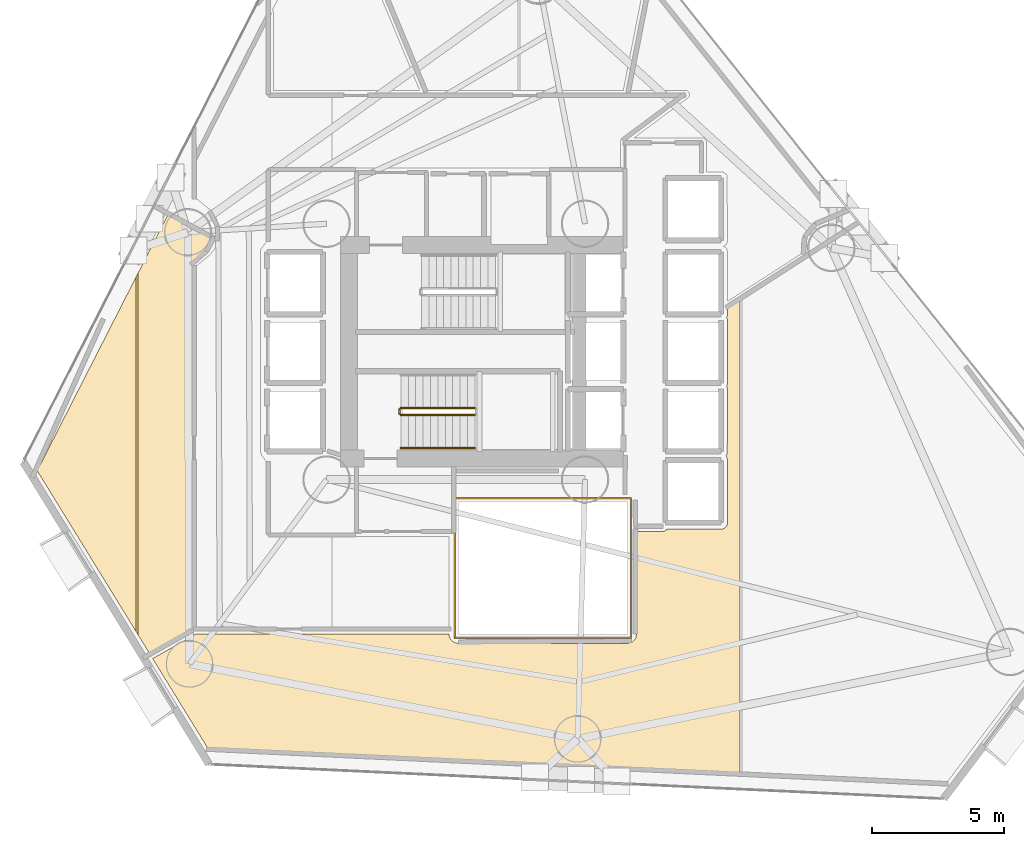
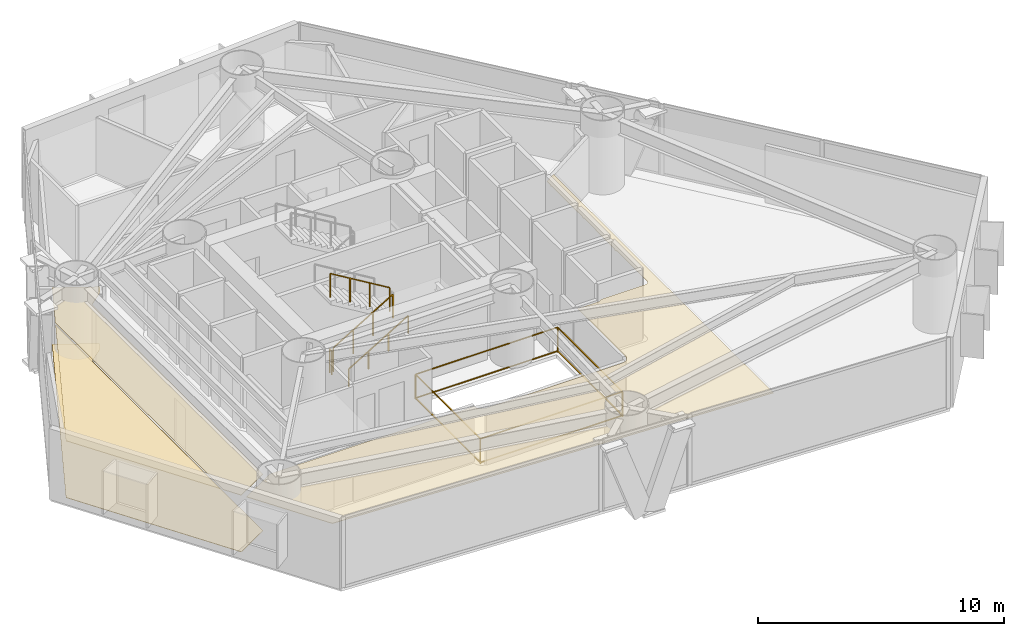
# One storey, part 20 of 23: 5 railings, 4 coverings.
"""IFC4 building model written with IfcOpenShell, lengths in metres."""

from ifc_helpers import new_model, si_unit, direction, frame, origin, origin_2d, place, context, subcontext, project, spatial, polyline, rectangle, outline, extrude, material, layer, layer_set, type_object, element, save


model = new_model("IFC4")

# Units and contexts
model_context = context("Model", 3, precision=1e-05, world=origin(), true_north=direction((0.0, 1.0)))
body_context = subcontext(model_context, "Body", "Model", "MODEL_VIEW")
ifc_project = project(units=[si_unit("LENGTHUNIT", "METRE"), si_unit("AREAUNIT", "SQUARE_METRE"), si_unit("VOLUMEUNIT", "CUBIC_METRE"), si_unit("PLANEANGLEUNIT", "RADIAN"), si_unit("MASSUNIT", "GRAM", prefix="KILO")], contexts=[model_context])

# Site, building, storey
site_placement = place(None, origin())
site = spatial("IfcSite", under=ifc_project, at=site_placement, CompositionType="ELEMENT")
building_placement = place(site_placement, origin())
building = spatial("IfcBuilding", under=site, at=building_placement, Name="Qianvela Tower", CompositionType="ELEMENT")
storey_placement = place(building_placement, frame((0.0, 0.0, 33.10009765625)))
storey = spatial("IfcBuildingStorey", under=building, at=storey_placement, Name="L07", CompositionType="ELEMENT", Elevation=33.10009765625)

# Coverings
ifc_material_1 = material(Name="Perforated Mineral Acoustic Ceiling Tile")
ifc_layer_1 = layer(ifc_material_1, 0.02490234375)
ifc_layer_set_1 = layer_set([ifc_layer_1], Name="Perforated Mineral Acoustic Ceiling Tile")
covering_type_1 = type_object("IfcCoveringType", Name="COV-CEIL-ACOUSTIC-25", PredefinedType="CEILING", material=ifc_layer_set_1)
covering_1_placement = place(storey_placement, frame((0.0, 0.0, 2.81494140625)))
element("IfcCovering", 1, at=covering_1_placement, inside=storey, type_object=covering_type_1, Name="L07 Acoustic Ceiling Bay 1 Shared Communal Kitchen L07-01", PredefinedType="CEILING", context=body_context, shape_type="SweptSolid", body=[
    extrude(outline(polyline([(17.628173828125, 24.18701171875), (21.37060546875, 31.51953125), (21.37060546875, 18.09716796875), (17.628173828125, 24.18701171875)])), origin(), (0.0, 0.0, 1.0), 0.02490234375),
])
covering_2_placement = place(storey_placement, frame((0.0, 0.0, 2.81494140625)))
element("IfcCovering", 2, at=covering_2_placement, inside=storey, type_object=covering_type_1, Name="L07 Acoustic Ceiling Bay 2 Shared Communal Kitchen L07-01", PredefinedType="CEILING", context=body_context, shape_type="SweptSolid", body=[
    extrude(outline(polyline([(24.2724609375, 32.97607421875), (24.269287109375, 32.945556640625), (24.135498046875, 32.695068359375), (24.016357421875, 32.5498046875), (23.448486328125, 32.083740234375), (23.442626953125, 32.07861328125), (23.4375, 32.07275390625), (23.4326171875, 32.06640625), (23.4287109375, 32.0595703125), (23.39990234375, 32.005615234375), (23.396484375, 31.99853515625), (23.393798828125, 31.9912109375), (23.391845703125, 31.9833984375), (23.390869140625, 31.975830078125), (23.390380859375, 31.968017578125), (23.389892578125, 18.14990234375), (23.390380859375, 18.142578125), (23.391357421875, 18.135498046875), (23.391845703125, 18.133056640625), (21.877197265625, 17.273193359375), (21.45068359375, 17.966796875), (21.45068359375, 31.67626953125), (22.5791015625, 33.886962890625), (24.2724609375, 32.97607421875)])), origin(), (0.0, 0.0, 1.0), 0.02490234375),
])
covering_3_placement = place(storey_placement, frame((0.0, 0.0, 2.81494140625)))
element("IfcCovering", 3, at=covering_3_placement, inside=storey, type_object=covering_type_1, Name="L07 Acoustic Ceiling Bay 1 Student Tea Pantry L07-02", PredefinedType="CEILING", context=body_context, shape_type="SweptSolid", body=[
    extrude(outline(polyline([(33.24609375, 17.989990234375), (33.252197265625, 17.912353515625), (33.25341796875, 17.904296875), (33.25537109375, 17.896240234375), (33.258056640625, 17.888427734375), (33.261474609375, 17.881103515625), (33.31298828125, 17.78466796875), (33.31689453125, 17.77783203125), (33.32177734375, 17.771484375), (33.326904296875, 17.765869140625), (33.332763671875, 17.760498046875), (33.417236328125, 17.691162109375), (33.42431640625, 17.68603515625), (33.431884765625, 17.681640625), (33.440185546875, 17.677978515625), (33.448486328125, 17.675537109375), (33.58056640625, 17.642333984375), (33.5869140625, 17.64111328125), (33.593505859375, 17.640380859375), (33.60009765625, 17.639892578125), (40.0, 17.639892578125), (40.0078125, 17.640380859375), (40.015625, 17.6416015625), (40.023193359375, 17.643310546875), (40.1787109375, 17.690673828125), (40.185546875, 17.693115234375), (40.192138671875, 17.696044921875), (40.198486328125, 17.69970703125), (40.204345703125, 17.70361328125), (40.209716796875, 17.70849609375), (40.21484375, 17.71337890625), (40.30615234375, 17.814208984375), (40.311279296875, 17.8203125), (40.315673828125, 17.826904296875), (40.3193359375, 17.833740234375), (40.322265625, 17.841064453125), (40.324462890625, 17.8486328125), (40.357666015625, 17.980712890625), (40.35888671875, 17.987060546875), (40.359619140625, 17.993408203125), (40.360107421875, 18.0), (40.360107421875, 21.889892578125), (41.367919921875, 21.890380859375), (41.375732421875, 21.890869140625), (41.383544921875, 21.891845703125), (41.39111328125, 21.893798828125), (41.3984375, 21.896484375), (41.405517578125, 21.89990234375), (41.45947265625, 21.9287109375), (41.46630859375, 21.932861328125), (41.472900390625, 21.9375), (41.478759765625, 21.943115234375), (41.48388671875, 21.948974609375), (41.48876953125, 21.955322265625), (41.492919921875, 21.96240234375), (41.49609375, 21.969482421875), (41.498779296875, 21.97705078125), (41.49951171875, 21.97998046875), (43.59375, 21.980712890625), (43.6015625, 21.981201171875), (43.609375, 21.982177734375), (43.616943359375, 21.984130859375), (43.624267578125, 21.98681640625), (43.699462890625, 22.017822265625), (43.70654296875, 22.021240234375), (43.71337890625, 22.025390625), (43.719482421875, 22.02978515625), (43.725341796875, 22.03515625), (43.730712890625, 22.041015625), (43.7353515625, 22.04736328125), (43.780517578125, 22.114990234375), (43.784423828125, 22.12158203125), (43.787841796875, 22.128662109375), (43.79052734375, 22.135986328125), (43.79248046875, 22.1435546875), (43.793701171875, 22.1513671875), (43.7939453125, 22.1591796875), (43.800048828125, 24.599853515625), (43.7998046875, 24.606689453125), (43.798828125, 24.613525390625), (43.79736328125, 24.620361328125), (43.79541015625, 24.626953125), (43.763427734375, 24.7158203125), (43.760498046875, 24.722900390625), (43.7568359375, 24.72998046875), (43.75244140625, 24.736572265625), (43.74755859375, 24.742431640625), (43.741943359375, 24.748046875), (43.736083984375, 24.7529296875), (43.771240234375, 24.795654296875), (43.77587890625, 24.802001953125), (43.77978515625, 24.80859375), (43.783203125, 24.815673828125), (43.785888671875, 24.822998046875), (43.787841796875, 24.83056640625), (43.788818359375, 24.83837890625), (43.789306640625, 24.84619140625), (43.800048828125, 27.2998046875), (43.799560546875, 27.3076171875), (43.798583984375, 27.315673828125), (43.79638671875, 27.323486328125), (43.793701171875, 27.3310546875), (43.7646484375, 27.39990234375), (43.793701171875, 27.468994140625), (43.79638671875, 27.476318359375), (43.79833984375, 27.484130859375), (43.799560546875, 27.491943359375), (43.800048828125, 27.5), (43.800048828125, 29.89990234375), (43.799560546875, 29.907958984375), (43.79833984375, 29.915771484375), (43.79638671875, 29.923583984375), (43.793701171875, 29.93115234375), (43.765625, 29.997802734375), (43.79150390625, 30.051513671875), (43.794189453125, 30.05810546875), (43.79638671875, 30.06494140625), (43.798095703125, 30.072021484375), (43.799072265625, 30.0791015625), (43.79931640625, 30.086181640625), (43.7998046875, 30.344482421875), (44.276123046875, 30.651611328125), (44.276123046875, 12.734619140625), (24.083984375, 13.682373046875), (22.0048828125, 17.065185546875), (23.634521484375, 17.989990234375), (33.24609375, 17.989990234375)])), origin(), (0.0, 0.0, 1.0), 0.02490234375),
])
ifc_material_2 = material(Name="Engineered Acoustic Oak Timber Flooring", Category="wood")
ifc_layer_2 = layer(ifc_material_2, 0.02001953125)
ifc_layer_set_2 = layer_set([ifc_layer_2], Name="Engineered Acoustic Oak Timber Flooring")
covering_type_2 = type_object("IfcCoveringType", Name="COV-FLOOR-OAK-20", PredefinedType="FLOORING", material=ifc_layer_set_2)
covering_4_placement = place(storey_placement, origin())
element("IfcCovering", 4, at=covering_4_placement, inside=storey, type_object=covering_type_2, Name="L07 Finish Flooring Shared Communal Kitchen L07-01", PredefinedType="FLOORING", context=body_context, shape_type="SweptSolid", body=[
    extrude(outline(polyline([(22.5791015625, 33.886962890625), (24.2724609375, 32.97607421875), (24.269287109375, 32.945556640625), (24.135498046875, 32.695068359375), (24.016357421875, 32.5498046875), (23.448486328125, 32.083740234375), (23.442626953125, 32.07861328125), (23.4375, 32.07275390625), (23.4326171875, 32.06640625), (23.4287109375, 32.0595703125), (23.39990234375, 32.005615234375), (23.396484375, 31.99853515625), (23.393798828125, 31.9912109375), (23.391845703125, 31.9833984375), (23.390869140625, 31.975830078125), (23.390380859375, 31.968017578125), (23.389892578125, 18.14990234375), (23.390380859375, 18.142578125), (23.391357421875, 18.135498046875), (23.391845703125, 18.133056640625), (21.877197265625, 17.273193359375), (17.628173828125, 24.18701171875), (22.5791015625, 33.886962890625)])), origin(), (0.0, 0.0, 1.0), 0.02001953125),
])

# Railings
ifc_material_3 = material(Name="Laminated Safety Glass and Stainless Steel 316", Category="steel")
railing_type_1 = type_object("IfcRailingType", Name="RL-ATRIUM-GUARD-1250", PredefinedType="GUARDRAIL", material=ifc_material_3)
railing_1_placement = place(storey_placement, frame((33.4599609375, 17.860107421875, 0.0)))
element("IfcRailing", 5, at=railing_1_placement, inside=storey, type_object=railing_type_1, Name="L07 Atrium Edge Guardrail 1", PredefinedType="GUARDRAIL", context=body_context, shape_type="SweptSolid", body=[
    extrude(rectangle(XDim=0.050048828125, YDim=0.0400390625, at=origin_2d()), frame((0.0, 0.0, 1.22998046875), z_axis=(0.0, 1.0, 0.0), x_axis=(-1.0, 0.0, 0.0)), (0.0, 0.0, 1.0), 5.27978515625),
    extrude(rectangle(XDim=0.050048828125, YDim=0.0400390625, at=origin_2d()), frame((0.0, 0.0, 0.050048828125), z_axis=(0.0, 1.0, 0.0), x_axis=(-1.0, 0.0, 0.0)), (0.0, 0.0, 1.0), 5.27978515625),
    extrude(rectangle(XDim=0.050048828125, YDim=0.0400390625, at=origin_2d()), frame((0.0, 5.27978515625, 1.22998046875), z_axis=(1.0, 0.0, 0.0), x_axis=(0.0, 1.0, 0.0)), (0.0, 0.0, 1.0), 6.679931640625),
    extrude(rectangle(XDim=0.050048828125, YDim=0.0400390625, at=origin_2d()), frame((0.0, 5.27978515625, 0.050048828125), z_axis=(1.0, 0.0, 0.0), x_axis=(0.0, 1.0, 0.0)), (0.0, 0.0, 1.0), 6.679931640625),
    extrude(rectangle(XDim=0.050048828125, YDim=0.0400390625, at=origin_2d()), frame((6.679931640625, 5.27978515625, 1.22998046875), z_axis=(0.0, -1.0, 0.0), x_axis=(1.0, 0.0, 0.0)), (0.0, 0.0, 1.0), 5.27978515625),
    extrude(rectangle(XDim=0.050048828125, YDim=0.0400390625, at=origin_2d()), frame((6.679931640625, 5.27978515625, 0.050048828125), z_axis=(0.0, -1.0, 0.0), x_axis=(1.0, 0.0, 0.0)), (0.0, 0.0, 1.0), 5.27978515625),
    extrude(rectangle(XDim=0.050048828125, YDim=0.0400390625, at=origin_2d()), frame((6.679931640625, 0.0, 1.22998046875), z_axis=(-1.0, 0.0, 0.0), x_axis=(0.0, -1.0, 0.0)), (0.0, 0.0, 1.0), 6.679931640625),
    extrude(rectangle(XDim=0.050048828125, YDim=0.0400390625, at=origin_2d()), frame((6.679931640625, 0.0, 0.050048828125), z_axis=(-1.0, 0.0, 0.0), x_axis=(0.0, -1.0, 0.0)), (0.0, 0.0, 1.0), 6.679931640625),
    extrude(rectangle(XDim=0.050048828125, YDim=0.050048828125, at=origin_2d()), origin(), (0.0, 0.0, 1.0), 1.2099609375),
    extrude(rectangle(XDim=0.050048828125, YDim=0.050048828125, at=origin_2d()), frame((0.0, 5.27978515625, 0.0)), (0.0, 0.0, 1.0), 1.2099609375),
    extrude(rectangle(XDim=0.050048828125, YDim=0.050048828125, at=origin_2d()), frame((6.679931640625, 5.27978515625, 0.0)), (0.0, 0.0, 1.0), 1.2099609375),
    extrude(rectangle(XDim=0.050048828125, YDim=0.050048828125, at=origin_2d()), frame((6.679931640625, 0.0, 0.0)), (0.0, 0.0, 1.0), 1.2099609375),
])
ifc_material_4 = material(Name="Painted Tubular Steel Q355B", Category="steel")
railing_type_2 = type_object("IfcRailingType", Name="RL-STAIR-GUARD-1200", PredefinedType="GUARDRAIL", material=ifc_material_4)
railing_2_placement = place(storey_placement, frame((31.419921875, 26.300048828125, 0.16796875)))
element("IfcRailing", 6, at=railing_2_placement, inside=storey, type_object=railing_type_2, Name="L07 ST-2 stair guard 1", PredefinedType="GUARDRAIL", context=body_context, shape_type="SweptSolid", body=[
    extrude(rectangle(XDim=0.050048828125, YDim=0.0400390625, at=origin_2d()), frame((0.0, 0.0, 1.179931640625), z_axis=(0.857242210791, 0.0, 0.514913383045), x_axis=(0.0, 1.0, 0.0)), (0.0, 0.0, 1.0), 3.266357421875),
    extrude(rectangle(XDim=0.050048828125, YDim=0.050048828125, at=origin_2d()), origin(), (0.0, 0.0, 1.0), 1.159912109375),
    extrude(rectangle(XDim=0.050048828125, YDim=0.050048828125, at=origin_2d()), frame((0.933349609375, 0.0, 0.560546875)), (0.0, 0.0, 1.0), 1.159912109375),
    extrude(rectangle(XDim=0.050048828125, YDim=0.050048828125, at=origin_2d()), frame((1.86669921875, 0.0, 1.121337890625)), (0.0, 0.0, 1.0), 1.159912109375),
    extrude(rectangle(XDim=0.050048828125, YDim=0.050048828125, at=origin_2d()), frame((2.800048828125, 0.0, 1.681884765625)), (0.0, 0.0, 1.0), 1.159912109375),
])
railing_3_placement = place(storey_placement, frame((34.219970703125, 26.56005859375, 2.01806640625)))
element("IfcRailing", 7, at=railing_3_placement, inside=storey, type_object=railing_type_2, Name="L07 ST-2 stair guard 3", PredefinedType="GUARDRAIL", context=body_context, shape_type="SweptSolid", body=[
    extrude(rectangle(XDim=0.050048828125, YDim=0.0400390625, at=origin_2d()), frame((0.0, 0.0, 1.179931640625), z_axis=(-0.857242210791, 0.0, 0.514913383045), x_axis=(0.0, -1.0, 0.0)), (0.0, 0.0, 1.0), 3.266357421875),
    extrude(rectangle(XDim=0.050048828125, YDim=0.050048828125, at=origin_2d()), origin(), (0.0, 0.0, 1.0), 1.159912109375),
    extrude(rectangle(XDim=0.050048828125, YDim=0.050048828125, at=origin_2d()), frame((-0.933349609375, 0.0, 0.560546875)), (0.0, 0.0, 1.0), 1.159912109375),
    extrude(rectangle(XDim=0.050048828125, YDim=0.050048828125, at=origin_2d()), frame((-1.86669921875, 0.0, 1.121337890625)), (0.0, 0.0, 1.0), 1.159912109375),
    extrude(rectangle(XDim=0.050048828125, YDim=0.050048828125, at=origin_2d()), frame((-2.800048828125, 0.0, 1.681884765625)), (0.0, 0.0, 1.0), 1.159912109375),
])
railing_4_placement = place(storey_placement, frame((31.3701171875, 26.35009765625, 0.0)))
element("IfcRailing", 8, at=railing_4_placement, inside=storey, type_object=railing_type_2, Name="L07 ST-2 stair guard 4", PredefinedType="GUARDRAIL", context=body_context, shape_type="SweptSolid", body=[
    extrude(rectangle(XDim=0.050048828125, YDim=0.0400390625, at=origin_2d()), frame((0.0, 0.0, 1.179931640625), z_axis=(0.0, 1.0, 0.0), x_axis=(-1.0, 0.0, 0.0)), (0.0, 0.0, 1.0), 0.159912109375),
    extrude(rectangle(XDim=0.050048828125, YDim=0.050048828125, at=origin_2d()), origin(), (0.0, 0.0, 1.0), 1.159912109375),
    extrude(rectangle(XDim=0.050048828125, YDim=0.050048828125, at=origin_2d()), frame((0.0, 0.159912109375, 0.0)), (0.0, 0.0, 1.0), 1.159912109375),
])
ifc_material_5 = material(Name="Brushed Stainless Steel 304", Category="steel")
railing_type_3 = type_object("IfcRailingType", Name="RL-STAIR-HANDRAIL-900", PredefinedType="HANDRAIL", material=ifc_material_5)
railing_5_placement = place(storey_placement, frame((31.419921875, 25.050048828125, 0.16796875)))
element("IfcRailing", 9, at=railing_5_placement, inside=storey, type_object=railing_type_3, Name="L07 ST-2 stair handrail 1", PredefinedType="HANDRAIL", context=body_context, shape_type="SweptSolid", body=[
    extrude(rectangle(XDim=0.050048828125, YDim=0.0400390625, at=origin_2d()), frame((0.0, 0.0, 0.8798828125), z_axis=(0.857242210791, 0.0, 0.514913383045), x_axis=(0.0, 1.0, 0.0)), (0.0, 0.0, 1.0), 3.266357421875),
    extrude(rectangle(XDim=0.050048828125, YDim=0.050048828125, at=origin_2d()), origin(), (0.0, 0.0, 1.0), 0.85986328125),
    extrude(rectangle(XDim=0.050048828125, YDim=0.050048828125, at=origin_2d()), frame((0.933349609375, 0.0, 0.560546875)), (0.0, 0.0, 1.0), 0.85986328125),
    extrude(rectangle(XDim=0.050048828125, YDim=0.050048828125, at=origin_2d()), frame((1.86669921875, 0.0, 1.121337890625)), (0.0, 0.0, 1.0), 0.85986328125),
    extrude(rectangle(XDim=0.050048828125, YDim=0.050048828125, at=origin_2d()), frame((2.800048828125, 0.0, 1.681884765625)), (0.0, 0.0, 1.0), 0.85986328125),
])

save(model, "model.ifc")
